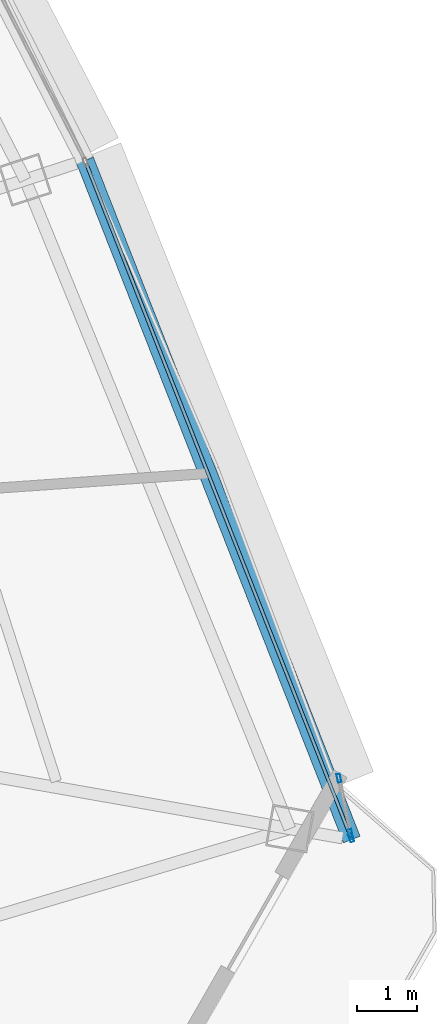
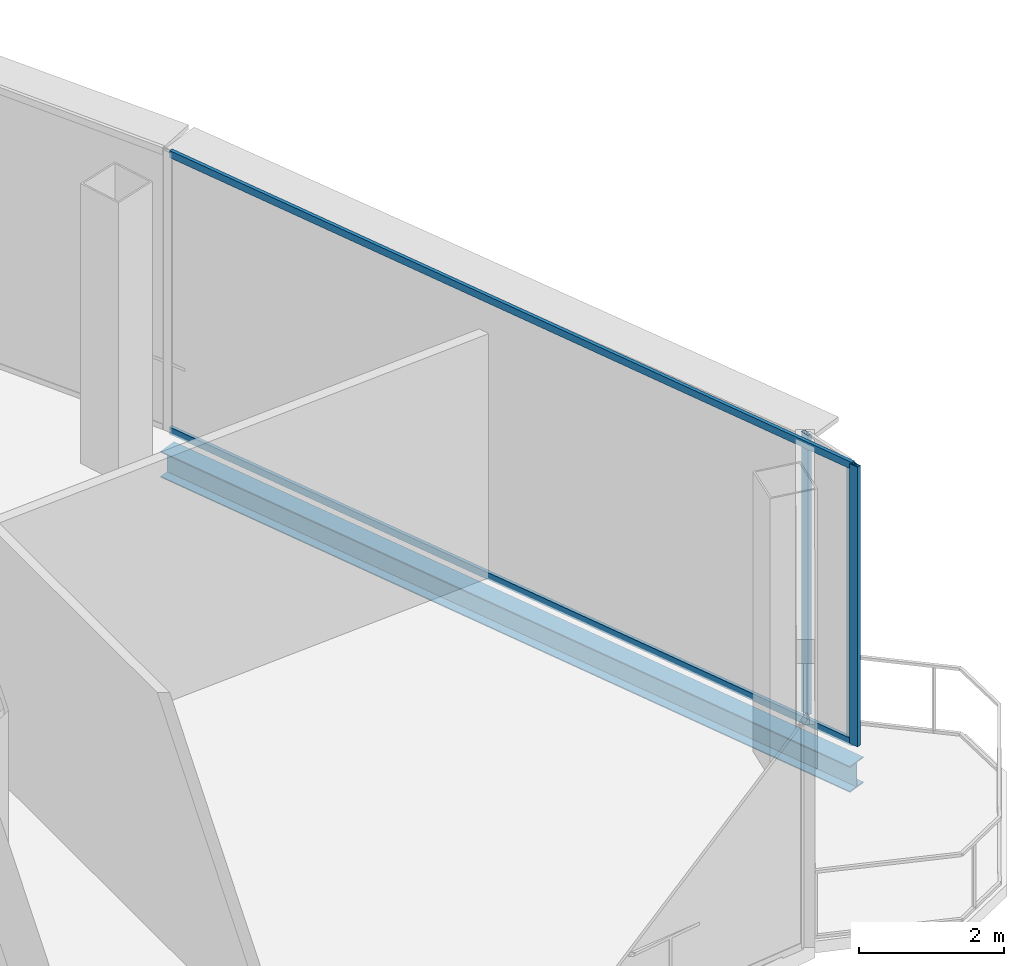
# One storey, part 14 of 29: 5 members, 1 beam, 2 elements without a shape of their own.
"""IFC4 building model written with IfcOpenShell, lengths in metres."""

from ifc_helpers import new_model, si_unit, direction, frame, origin, origin_2d, place, context, subcontext, project, spatial, hollow_rectangle, i_section, extrude, source, transform, mapped, material, layer, layer_set, material_profile, profile_set, type_object, element, aggregate, save


model = new_model("IFC4")

# Units and contexts
model_context = context("Model", 3, precision=1e-05, world=origin(), true_north=direction((0.0, 1.0)))
body_context = subcontext(model_context, "Body", "Model", "MODEL_VIEW")
ifc_project = project(units=[si_unit("LENGTHUNIT", "METRE"), si_unit("AREAUNIT", "SQUARE_METRE"), si_unit("VOLUMEUNIT", "CUBIC_METRE"), si_unit("PLANEANGLEUNIT", "RADIAN"), si_unit("MASSUNIT", "GRAM", prefix="KILO"), si_unit("THERMODYNAMICTEMPERATUREUNIT", "KELVIN"), si_unit("POWERUNIT", "WATT")], contexts=[model_context])

# Site, building, storey
site_placement = place(None, origin())
site = spatial("IfcSite", under=ifc_project, at=site_placement, CompositionType="ELEMENT")
building_placement = place(site_placement, origin())
building = spatial("IfcBuilding", under=site, at=building_placement, Name="Yunzhuo Pagoda Commons", CompositionType="ELEMENT")
storey_placement = place(building_placement, frame((0.0, 0.0, 366.760009765625)))
storey = spatial("IfcBuildingStorey", under=building, at=storey_placement, Name="L92", CompositionType="ELEMENT", Elevation=366.760009765625)

# Beam
ifc_material_1 = material(Name="Structural steel Q355B", Category="steel")
ifc_material_profile_1 = material_profile(ifc_material_1, i_section(OverallWidth=0.300048828125, OverallDepth=0.43994140625, WebThickness=0.010986328125, FlangeThickness=0.01806640625, at=origin_2d()), Name="Structural steel Q355B")
ifc_profile_set_1 = profile_set([ifc_material_profile_1], Name="Structural steel Q355B")
beam_type = type_object("IfcBeamType", Name="B-SP2 Beam HM 440x300x11x18", PredefinedType="BEAM", material=ifc_profile_set_1)
shared_shape_1 = source(origin(), body_context, "Body", "SweptSolid", [
    extrude(i_section(OverallWidth=0.300048828125, OverallDepth=0.43994140625, WebThickness=0.010986328125, FlangeThickness=0.01806640625, at=origin_2d()), origin(), (0.0, 0.0, 1.0), 12.18017578125),
])
beam_placement = place(storey_placement, frame((73.504150390625, 29.202880859375, -0.5), z_axis=(-0.365522138301, 0.930802646328, 0.0), x_axis=(-0.930802646328, -0.365522138301, 0.0)))
element("IfcBeam", 1, at=beam_placement, inside=storey, type_object=beam_type, Name="L92 facade edge spandrel beam F2.1", PredefinedType="BEAM", context=body_context, shape_type="MappedRepresentation", body=[
    mapped(shared_shape_1, transform((0.0, 0.0, 0.0), scale=1.0)),
])

# Curtain wall, member
ifc_material_2 = material(Name="Anodized aluminium 6063-T6", Category="aluminium")
ifc_layer = layer(ifc_material_2, 0.139892578125)
ifc_layer_set = layer_set([ifc_layer], Name="Anodized aluminium 6063-T6")
curtain_wall_type = type_object("IfcCurtainWallType", Name="CW-HI High-Zone Ribbon Curtain Wall", PredefinedType="NOTDEFINED", material=ifc_layer_set)
curtain_wall_1_placement = place(storey_placement, origin())
curtain_wall_1 = element("IfcCurtainWall", 2, at=curtain_wall_1_placement, inside=storey, type_object=curtain_wall_type, Name="L92 curtain wall CW-L92-F2B2", PredefinedType="NOTDEFINED")
ifc_material_profile_2 = material_profile(ifc_material_2, hollow_rectangle(XDim=0.06005859375, YDim=0.139892578125, WallThickness=0.00341796875, at=origin_2d()), Name="Anodized aluminium 6063-T6")
ifc_profile_set_2 = profile_set([ifc_material_profile_2], Name="Anodized aluminium 6063-T6")
member_type_1 = type_object("IfcMemberType", Name="CW-HI-M Mullion RHS 140x60x3.5", PredefinedType="MULLION", material=ifc_profile_set_2)
shared_shape_2 = source(origin(), body_context, "Body", "SweptSolid", [
    extrude(hollow_rectangle(XDim=0.06005859375, YDim=0.139892578125, WallThickness=0.00341796875, at=origin_2d()), origin(), (0.0, 0.0, 1.0), 4.72021484375),
])
member_1_placement = place(storey_placement, frame((73.4931640625, 29.230712890625, 0.0), z_axis=(0.0, 0.0, 1.0), x_axis=(-0.930802876709, -0.365521551636, 0.0)))
member_1 = element("IfcMember", 3, at=member_1_placement, type_object=member_type_1, Name="CW mullion 1", PredefinedType="MULLION", context=body_context, shape_type="MappedRepresentation", body=[
    mapped(shared_shape_2, transform((0.0, 0.0, 0.0), scale=1.0)),
])

# Curtain wall, members
curtain_wall_2_placement = place(storey_placement, origin())
curtain_wall_2 = element("IfcCurtainWall", 4, at=curtain_wall_2_placement, inside=storey, type_object=curtain_wall_type, Name="L92 curtain wall CW-L92-F2B1", PredefinedType="NOTDEFINED")
member_2_placement = place(storey_placement, frame((73.291748046875, 30.226806640625, 0.0), z_axis=(0.0, 0.0, 1.0), x_axis=(0.979140590747, 0.203183915585, 0.0)))
member_2 = element("IfcMember", 5, at=member_2_placement, type_object=member_type_1, Name="CW mullion 1", PredefinedType="MULLION", context=body_context, shape_type="MappedRepresentation", body=[
    mapped(shared_shape_2, transform((0.0, 0.0, 0.0), scale=1.0)),
])
member_3_placement = place(storey_placement, frame((73.48291015625, 29.3056640625, 0.0), z_axis=(0.0, 0.0, 1.0), x_axis=(0.979140590747, 0.203183915585, 0.0)))
member_3 = element("IfcMember", 6, at=member_3_placement, type_object=member_type_1, Name="CW mullion 2", PredefinedType="MULLION", context=body_context, shape_type="MappedRepresentation", body=[
    mapped(shared_shape_2, transform((0.0, 0.0, 0.0), scale=1.0)),
])
aggregate(curtain_wall_2, [member_2, member_3])

# Member
ifc_material_profile_3 = material_profile(ifc_material_2, hollow_rectangle(XDim=0.054931640625, YDim=0.1201171875, WallThickness=0.00341796875, at=origin_2d()), Name="Anodized aluminium 6063-T6")
ifc_profile_set_3 = profile_set([ifc_material_profile_3], Name="Anodized aluminium 6063-T6")
member_type_2 = type_object("IfcMemberType", Name="CW-HI-T Transom RHS 120x55x3.5", PredefinedType="USERDEFINED", material=ifc_profile_set_3)
shared_shape_3 = source(origin(), body_context, "Body", "SweptSolid", [
    extrude(hollow_rectangle(XDim=0.054931640625, YDim=0.1201171875, WallThickness=0.00341796875, at=origin_2d()), origin(), (0.0, 0.0, 1.0), 12.06005859375),
])
member_4_placement = place(storey_placement, frame((73.482177734375, 29.2587890625, 0.027587890625), z_axis=(-0.365519588165, 0.930803647752, 0.0), x_axis=(-0.930803647752, -0.365519588165, 0.0)))
member_4 = element("IfcMember", 7, at=member_4_placement, type_object=member_type_2, Name="CW transom 1.1", ObjectType="TRANSOM", PredefinedType="USERDEFINED", context=body_context, shape_type="MappedRepresentation", body=[
    mapped(shared_shape_3, transform((0.0, 0.0, 0.0), scale=1.0)),
])

member_5_placement = place(storey_placement, frame((73.482177734375, 29.2587890625, 4.6923828125), z_axis=(-0.365519588165, 0.930803647752, 0.0), x_axis=(-0.930803647752, -0.365519588165, 0.0)))
member_5 = element("IfcMember", 8, at=member_5_placement, type_object=member_type_2, Name="CW transom 1.2", ObjectType="TRANSOM", PredefinedType="USERDEFINED", context=body_context, shape_type="MappedRepresentation", body=[
    mapped(shared_shape_3, transform((0.0, 0.0, 0.0), scale=1.0)),
])

aggregate(curtain_wall_1, [member_1, member_4, member_5])

save(model, "model.ifc")
